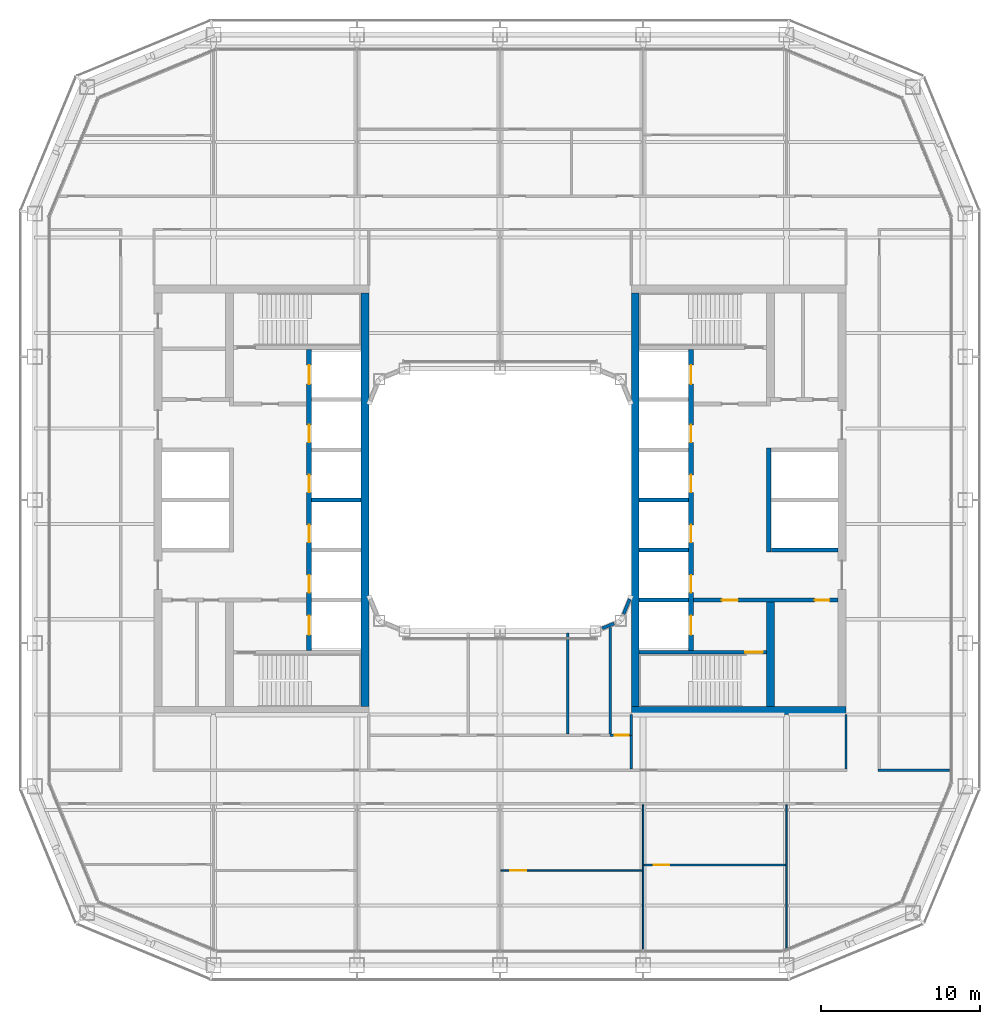
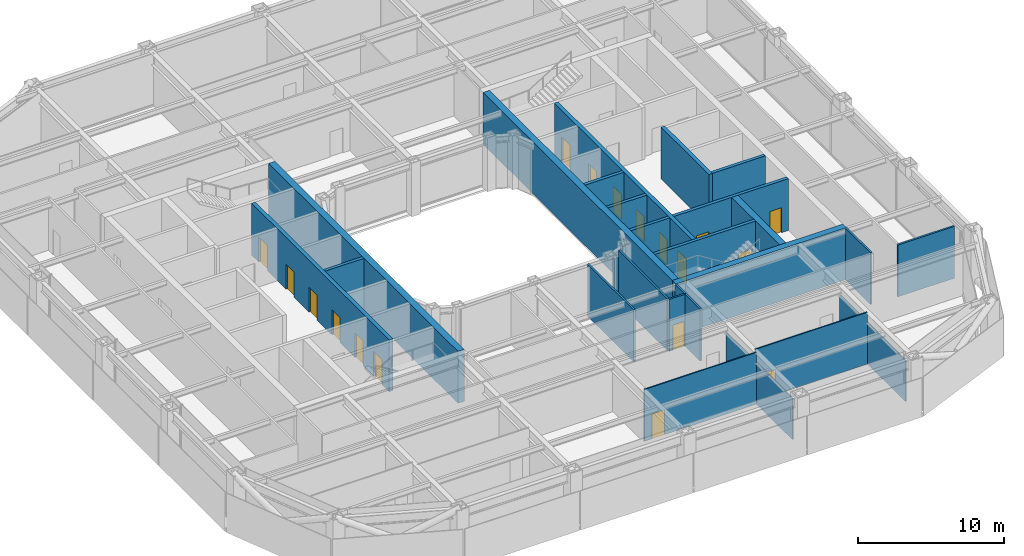
# One storey, part 12 of 21: 27 walls, 18 doors, 18 openings.
"""IFC4 building model written with IfcOpenShell, lengths in metres."""

import ifcopenshell
import ifcopenshell.guid

model = None  # the IFC model being written
_history = None  # IfcOwnerHistory: only IFC2X3 demands one
_inside = {}  # id of a spatial element -> (the spatial element, [elements in it])
_under = {}  # id of a project, library or spatial element -> (it, [spatial elements below it])
_declared = {}  # id of a project -> (the project, [libraries it declares])
_typed = {}  # id of a type object -> (the type object, [elements of that type])
_made_of = {}  # id of a material, layer set ... -> (it, [elements and type objects made of it])


def new_model(schema):
    """Start an empty IFC model of exactly this schema.

    Asked for "IFC4X3", IfcOpenShell would pick the latest addendum, in which some entities
    have other attributes; the version numbers below select the first issue.
    IFC2X3 requires an IfcOwnerHistory on every rooted entity: one is made here for all.
    """
    global model, _history
    if schema == "IFC4X3":
        model = ifcopenshell.file(schema_version=(4, 3, 0, 0))
    else:
        model = ifcopenshell.file(schema=schema)
    _inside.clear()
    _under.clear()
    _declared.clear()
    _typed.clear()
    _made_of.clear()
    _history = None
    if model.schema == "IFC2X3":
        org = make("IfcOrganization", Name="unknown")
        user = make(
            "IfcPersonAndOrganization",
            ThePerson=make("IfcPerson", FamilyName="unknown"),
            TheOrganization=org,
        )
        app = make(
            "IfcApplication",
            ApplicationDeveloper=org,
            Version="unknown",
            ApplicationFullName="unknown",
            ApplicationIdentifier="unknown",
        )
        _history = make(
            "IfcOwnerHistory",
            OwningUser=user,
            OwningApplication=app,
            ChangeAction="ADDED",
            CreationDate=0,
        )
    return model


def make(cls, **values):
    """One entity of the class cls with the attributes given. An attribute that is None is left unset."""
    return model.create_entity(
        cls, **{name: value for name, value in values.items() if value is not None}
    )


def rooted(cls, **values):
    """An entity with a GlobalId (a new one), such as an element, a storey or a relation."""
    return make(cls, GlobalId=ifcopenshell.guid.new(), OwnerHistory=_history, **values)


def si_unit(unit_type, name, prefix=None):
    """IfcSIUnit, for example si_unit("LENGTHUNIT", "METRE", prefix="MILLI")."""
    return make("IfcSIUnit", UnitType=unit_type, Prefix=prefix, Name=name)


def assignment(units):
    """IfcUnitAssignment: the units of a project."""
    return None if units is None else make("IfcUnitAssignment", Units=units)


def point(xyz):
    """IfcCartesianPoint."""
    return None if xyz is None else make("IfcCartesianPoint", Coordinates=xyz)


def direction(xyz):
    """IfcDirection."""
    return None if xyz is None else make("IfcDirection", DirectionRatios=xyz)


def frame(location, z_axis=None, x_axis=None):
    """IfcAxis2Placement3D, a coordinate frame: its origin and axes. An axis left out is left unset."""
    return make(
        "IfcAxis2Placement3D",
        Location=point(location),
        Axis=direction(z_axis),
        RefDirection=direction(x_axis),
    )


def frame_2d(location, x_axis=None):
    """IfcAxis2Placement2D, a coordinate frame in the plane: its origin and x axis."""
    return make(
        "IfcAxis2Placement2D", Location=point(location), RefDirection=direction(x_axis)
    )


def origin():
    """The frame at (0, 0, 0) with its axes left unset."""
    return frame((0.0, 0.0, 0.0))


def place(relative_to, where):
    """IfcLocalPlacement: puts the frame where relative to a parent placement (None: the world)."""
    return make(
        "IfcLocalPlacement", PlacementRelTo=relative_to, RelativePlacement=where
    )


def context(
    kind, dimensions, precision=None, world=None, true_north=None, identifier=None
):
    """IfcGeometricRepresentationContext, for example the 3D "Model" context."""
    return make(
        "IfcGeometricRepresentationContext",
        ContextIdentifier=identifier,
        ContextType=kind,
        CoordinateSpaceDimension=dimensions,
        Precision=precision,
        WorldCoordinateSystem=world,
        TrueNorth=true_north,
    )


def subcontext(parent, identifier, kind, view, scale=None):
    """IfcGeometricRepresentationSubContext, for example "Body" below "Model"."""
    return make(
        "IfcGeometricRepresentationSubContext",
        ContextIdentifier=identifier,
        ContextType=kind,
        ParentContext=parent,
        TargetScale=scale,
        TargetView=view,
    )


def project(units=None, contexts=None):
    """IfcProject with its units and contexts."""
    return rooted(
        "IfcProject",
        Name="project",
        RepresentationContexts=contexts,
        UnitsInContext=assignment(units),
    )


def spatial(cls, under=None, at=None, **own):
    """A site, building, storey or space (cls), placed at a placement, below another one or the project."""
    s = rooted(cls, ObjectPlacement=at, **own)
    if under is not None:
        _under.setdefault(under.id(), (under, []))[1].append(s)
    return s


def profile(cls, at=None, kind="AREA", **sizes):
    """A parametric profile (cls). Its sizes go by their IFC names, for example OverallWidth=200.0."""
    return make(cls, ProfileType=kind, Position=at, **sizes)


def rectangle(**sizes):
    """IfcRectangleProfileDef."""
    return profile("IfcRectangleProfileDef", **sizes)


def extrude(swept, where, along, depth):
    """IfcExtrudedAreaSolid: the profile swept, set in the frame where, extruded along a direction by depth."""
    return make(
        "IfcExtrudedAreaSolid",
        SweptArea=swept,
        Position=where,
        ExtrudedDirection=direction(along),
        Depth=depth,
    )


def shape(context_of_items, identifier, shape_type, items):
    """IfcShapeRepresentation: the items that make up one representation, for example the "Body"."""
    return make(
        "IfcShapeRepresentation",
        ContextOfItems=context_of_items,
        RepresentationIdentifier=identifier,
        RepresentationType=shape_type,
        Items=items,
    )


def material(Name=None, Category=None):
    """IfcMaterial."""
    return make("IfcMaterial", Name=Name, Category=Category)


def layer(
    of_material, thickness, ventilated=None, Name=None, Category=None, Priority=None
):
    """IfcMaterialLayer: one layer of a wall or slab, of a material (None: an air gap)."""
    return make(
        "IfcMaterialLayer",
        Material=of_material,
        LayerThickness=thickness,
        IsVentilated=ventilated,
        Name=Name,
        Category=Category,
        Priority=Priority,
    )


def layer_set(layers, Name=None):
    """IfcMaterialLayerSet."""
    return make("IfcMaterialLayerSet", MaterialLayers=layers, LayerSetName=Name)


def made_of(thing, what):
    """Note that an element or type object is made of a material, layer set ...; save() writes the relation."""
    if what is not None:
        _made_of.setdefault(what.id(), (what, []))[1].append(thing)
    return thing


def type_object(cls, material=None, **own):
    """A type object (cls), such as IfcWallType, which elements share."""
    return made_of(rooted(cls, **own), material)


def element(
    cls,
    number,
    at=None,
    inside=None,
    cuts=None,
    type_object=None,
    material=None,
    context=None,
    identifier="Body",
    shape_type=None,
    held_by="IfcProductDefinitionShape",
    body=None,
    shapes=None,
    **own,
):
    """One element of the class cls, such as IfcWall. Its Tag is "e" and its number.

    at: its placement. inside: the storey or other place that contains it. cuts: it is an
    opening in that element (IfcRelVoidsElement). A single representation is given by context,
    identifier, shape_type and body (its items); several are given by shapes. held_by: the class
    of the entity that holds the representations. save() writes the other relations.
    """
    e = rooted(cls, Tag="e%d" % number, ObjectPlacement=at, **own)
    if body is not None:
        shapes = [shape(context, identifier, shape_type, body)]
    if shapes is not None:
        e.Representation = make(held_by, Representations=shapes)
    if inside is not None:
        _inside.setdefault(inside.id(), (inside, []))[1].append(e)
    if cuts is not None:
        rooted(
            "IfcRelVoidsElement", RelatingBuildingElement=cuts, RelatedOpeningElement=e
        )
    if type_object is not None:
        _typed.setdefault(type_object.id(), (type_object, []))[1].append(e)
    return made_of(e, material)


def fill(opening, filler):
    """IfcRelFillsElement: the door or window that sits in an opening."""
    return rooted(
        "IfcRelFillsElement",
        RelatingOpeningElement=opening,
        RelatedBuildingElement=filler,
    )


def aggregate(whole, parts):
    """IfcRelAggregates: a whole, such as a stair, and the parts it consists of."""
    return rooted("IfcRelAggregates", RelatingObject=whole, RelatedObjects=parts)


def save(model, path):
    """Write the relations noted so far, then the file.

    IfcRelAggregates (storeys below a building ...), IfcRelContainedInSpatialStructure (elements
    in a storey), IfcRelDefinesByType, IfcRelAssociatesMaterial and IfcRelDeclares: one each for
    every whole, place, type object, material and project.
    """
    for whole, parts in _under.values():
        aggregate(whole, parts)
    for where, things in _inside.values():
        rooted(
            "IfcRelContainedInSpatialStructure",
            RelatedElements=things,
            RelatingStructure=where,
        )
    for kind, things in _typed.values():
        rooted("IfcRelDefinesByType", RelatedObjects=things, RelatingType=kind)
    for what, things in _made_of.values():
        rooted("IfcRelAssociatesMaterial", RelatedObjects=things, RelatingMaterial=what)
    for by, libraries in _declared.values():
        rooted("IfcRelDeclares", RelatingContext=by, RelatedDefinitions=libraries)
    model.write(path)


model = new_model("IFC4")

# Units and contexts
model_context = context("Model", 3, precision=1e-05, world=origin(), true_north=direction((0.0, 1.0)))
body_context = subcontext(model_context, "Body", "Model", "MODEL_VIEW")
ifc_project = project(units=[si_unit("LENGTHUNIT", "METRE"), si_unit("AREAUNIT", "SQUARE_METRE"), si_unit("VOLUMEUNIT", "CUBIC_METRE"), si_unit("PLANEANGLEUNIT", "RADIAN"), si_unit("MASSUNIT", "GRAM", prefix="KILO")], contexts=[model_context])

# Site, building, storey
site_placement = place(None, origin())
site = spatial("IfcSite", under=ifc_project, at=site_placement, CompositionType="ELEMENT")
building_placement = place(site_placement, origin())
building = spatial("IfcBuilding", under=site, at=building_placement, Name="Siwar Civic Tower", CompositionType="ELEMENT")
storey_placement = place(building_placement, frame((0.0, 0.0, 104.699951171875)))
storey = spatial("IfcBuildingStorey", under=building, at=storey_placement, Name="L22", CompositionType="ELEMENT", Elevation=104.699951171875)

# Wall, opening, door
ifc_material_1 = material(Name="Gypsum board on steel studs", Category="steel")
ifc_layer_1 = layer(ifc_material_1, 0.14990234375)
ifc_layer_set_1 = layer_set([ifc_layer_1], Name="Gypsum board on steel studs")
wall_type_1 = type_object("IfcWallType", Name="COMPARTMENT PARTITION 150 EI 60", PredefinedType="PARTITIONING", material=ifc_layer_set_1)
wall_1_placement = place(storey_placement, frame((6.919921875, -14.800048828125, 0.0), z_axis=(0.0, 0.0, 1.0), x_axis=(1.0, 0.0, 0.0)))
wall_1 = element("IfcWall", 1, at=wall_1_placement, inside=storey, type_object=wall_type_1, Name="L22/wall/P10", PredefinedType="PARTITIONING", context=body_context, shape_type="SweptSolid", body=[
    extrude(rectangle(XDim=1.255126953125, YDim=0.14990234375, at=frame_2d((0.62744140625, 0.0))), origin(), (0.0, 0.0, 1.0), 4.35009765625),
])
opening_1_placement = place(wall_1_placement, frame((0.280029296875, 0.0, 0.0)))
opening_1 = element("IfcOpeningElement", 2, at=opening_1_placement, cuts=wall_1, Name="Opening D4", PredefinedType="OPENING", context=body_context, shape_type="SweptSolid", body=[
    extrude(rectangle(XDim=0.89990234375, YDim=2.10009765625, at=frame_2d((0.449951171875, 1.050048828125))), frame((0.0, 0.0849609375, 0.0), z_axis=(0.0, -1.0, 0.0), x_axis=(1.0, 0.0, 0.0)), (0.0, 0.0, 1.0), 0.169921875),
])
ifc_material_2 = material(Name="Timber, painted", Category="wood")
door_type_1 = type_object("IfcDoorType", Name="DOOR 900 X 2100 FD60", OperationType="SINGLE_SWING_LEFT", PredefinedType="DOOR", material=ifc_material_2)
door_1_placement = place(opening_1_placement, origin())
door_1 = element("IfcDoor", 3, at=door_1_placement, inside=storey, type_object=door_type_1, Name="L22-D28", OperationType="SINGLE_SWING_RIGHT", OverallHeight=2.10009765625, OverallWidth=0.89990234375, PredefinedType="DOOR", context=body_context, shape_type="SweptSolid", body=[
    extrude(rectangle(XDim=0.89990234375, YDim=2.10009765625, at=frame_2d((0.449951171875, 1.050048828125))), frame((0.0, 0.02490234375, 0.0), z_axis=(0.0, -1.0, 0.0), x_axis=(1.0, 0.0, 0.0)), (0.0, 0.0, 1.0), 0.050048828125),
])
fill(opening_1, door_1)

# Walls
wall_2_placement = place(storey_placement, frame((6.919921875, -14.72509765625, 0.0), z_axis=(0.0, 0.0, 1.0), x_axis=(0.0, 1.0, 0.0)))
element("IfcWall", 4, at=wall_2_placement, inside=storey, type_object=wall_type_1, Name="L22/wall/P34", PredefinedType="PARTITIONING", context=body_context, shape_type="SweptSolid", body=[
    extrude(rectangle(XDim=6.7001953125, YDim=0.14990234375, at=frame_2d((3.35009765625, 0.0))), origin(), (0.0, 0.0, 1.0), 4.35009765625),
])
wall_3_placement = place(storey_placement, frame((8.25, -14.800048828125, 0.0), z_axis=(0.0, 0.0, 1.0), x_axis=(0.0, 1.0, 0.0)))
element("IfcWall", 5, at=wall_3_placement, inside=storey, type_object=wall_type_1, Name="L22/wall/P37", PredefinedType="PARTITIONING", context=body_context, shape_type="SweptSolid", body=[
    extrude(rectangle(XDim=1.300048828125, YDim=0.14990234375, at=frame_2d((0.64990234375, 0.0))), origin(), (0.0, 0.0, 1.0), 4.35009765625),
])
ifc_material_3 = material(Name="Concrete C60/75", Category="concrete")
ifc_layer_2 = layer(ifc_material_3, 0.25)
ifc_layer_set_2 = layer_set([ifc_layer_2], Name="Concrete C60/75")
wall_type_2 = type_object("IfcWallType", Name="CORE-WALL-RC250", PredefinedType="SHEAR", material=ifc_layer_set_2)
wall_4_placement = place(storey_placement, frame((-8.75, 0.0, 0.0), z_axis=(0.0, 0.0, 1.0), x_axis=(-1.0, 0.0, 0.0)))
element("IfcWall", 6, at=wall_4_placement, inside=storey, type_object=wall_type_2, Name="Core wall W", PredefinedType="SHEAR", context=body_context, shape_type="SweptSolid", body=[
    extrude(rectangle(XDim=3.10009765625, YDim=0.25, at=frame_2d((1.550048828125, 0.0))), origin(), (0.0, 0.0, 1.0), 4.35009765625),
])

# Wall, openings, doors
wall_5_placement = place(storey_placement, frame((12.14990234375, -6.300048828125, 0.0), z_axis=(0.0, 0.0, 1.0), x_axis=(1.0, 0.0, 0.0)))
wall_5 = element("IfcWall", 7, at=wall_5_placement, inside=storey, type_object=wall_type_2, Name="Core wall E", PredefinedType="SHEAR", context=body_context, shape_type="SweptSolid", body=[
    extrude(rectangle(XDim=9.10009765625, YDim=0.25, at=frame_2d((4.550048828125, 0.0))), origin(), (0.0, 0.0, 1.0), 4.35009765625),
])
opening_2_placement = place(wall_5_placement, frame((1.800048828125, 0.0, 0.0)))
opening_2 = element("IfcOpeningElement", 8, at=opening_2_placement, cuts=wall_5, Name="Opening L22-CE02", PredefinedType="OPENING", context=body_context, shape_type="SweptSolid", body=[
    extrude(rectangle(XDim=1.0, YDim=2.10009765625, at=frame_2d((0.5, 1.050048828125))), frame((0.0, 0.135009765625, 0.0), z_axis=(0.0, -1.0, 0.0), x_axis=(1.0, 0.0, 0.0)), (0.0, 0.0, 1.0), 0.27001953125),
])
opening_3_placement = place(wall_5_placement, frame((7.64990234375, 0.0, 0.0)))
opening_3 = element("IfcOpeningElement", 9, at=opening_3_placement, cuts=wall_5, Name="Opening L22-CE15", PredefinedType="OPENING", context=body_context, shape_type="SweptSolid", body=[
    extrude(rectangle(XDim=0.89990234375, YDim=2.10009765625, at=frame_2d((0.449951171875, 1.050048828125))), frame((0.0, 0.135009765625, 0.0), z_axis=(0.0, -1.0, 0.0), x_axis=(1.0, 0.0, 0.0)), (0.0, 0.0, 1.0), 0.27001953125),
])
ifc_material_4 = material(Name="Steel door leaf", Category="steel")
door_type_2 = type_object("IfcDoorType", Name="CORE-DOOR-FD30S", OperationType="SINGLE_SWING_LEFT", PredefinedType="DOOR", material=ifc_material_4)
door_2_placement = place(opening_2_placement, origin())
door_2 = element("IfcDoor", 10, at=door_2_placement, inside=storey, type_object=door_type_2, Name="Service lobby door L22-CE02", OperationType="SINGLE_SWING_LEFT", OverallHeight=2.10009765625, OverallWidth=1.0, PredefinedType="DOOR", context=body_context, shape_type="SweptSolid", body=[
    extrude(rectangle(XDim=1.0, YDim=2.10009765625, at=frame_2d((0.5, 1.050048828125))), frame((0.0, 0.02490234375, 0.0), z_axis=(0.0, -1.0, 0.0), x_axis=(1.0, 0.0, 0.0)), (0.0, 0.0, 1.0), 0.050048828125),
])
fill(opening_2, door_2)
ifc_material_5 = material(Name="Steel door leaf", Category="steel")
door_type_3 = type_object("IfcDoorType", Name="CORE-DOOR-ROOM", OperationType="SINGLE_SWING_LEFT", PredefinedType="DOOR", material=ifc_material_5)
door_3_placement = place(opening_3_placement, origin())
door_3 = element("IfcDoor", 11, at=door_3_placement, inside=storey, type_object=door_type_3, Name="Core room door L22-CE15", OperationType="SINGLE_SWING_RIGHT", OverallHeight=2.10009765625, OverallWidth=0.89990234375, PredefinedType="DOOR", context=body_context, shape_type="SweptSolid", body=[
    extrude(rectangle(XDim=0.89990234375, YDim=2.10009765625, at=frame_2d((0.449951171875, 1.050048828125))), frame((0.0, 0.02490234375, 0.0), z_axis=(0.0, -1.0, 0.0), x_axis=(1.0, 0.0, 0.0)), (0.0, 0.0, 1.0), 0.050048828125),
])
fill(opening_3, door_3)

# Walls
wall_6_placement = place(storey_placement, frame((17.050048828125, -3.14990234375, 0.0), z_axis=(0.0, 0.0, 1.0), x_axis=(1.0, 0.0, 0.0)))
element("IfcWall", 12, at=wall_6_placement, inside=storey, type_object=wall_type_2, Name="Core wall E", PredefinedType="SHEAR", context=body_context, shape_type="SweptSolid", body=[
    extrude(rectangle(XDim=4.199951171875, YDim=0.25, at=frame_2d((2.10009765625, 0.0))), origin(), (0.0, 0.0, 1.0), 4.35009765625),
])
for number, where, z_axis, x_axis, name in (
    (13, (8.75, 0.0, 0.0), (0.0, 0.0, 1.0), (1.0, 0.0, 0.0), "Core wall E"),
    (14, (8.75, -3.14990234375, 0.0), (0.0, 0.0, 1.0), (1.0, 0.0, 0.0), "Core wall E"),
    (15, (8.75, -6.300048828125, 0.0), (0.0, 0.0, 1.0), (1.0, 0.0, 0.0), "Core wall E"),
):
    element("IfcWall", number, at=place(storey_placement, frame(where, z_axis=z_axis, x_axis=x_axis)), inside=storey, type_object=wall_type_2, Name=name, PredefinedType="SHEAR", context=body_context, shape_type="SweptSolid", body=[
        extrude(rectangle(XDim=3.10009765625, YDim=0.25, at=frame_2d((1.550048828125, 0.0))), origin(), (0.0, 0.0, 1.0), 4.35009765625),
    ])

# Wall, opening, door
wall_7_placement = place(storey_placement, frame((8.75, -9.574951171875, 0.0), z_axis=(0.0, 0.0, 1.0), x_axis=(1.0, 0.0, 0.0)))
wall_7 = element("IfcWall", 16, at=wall_7_placement, inside=storey, type_object=wall_type_2, Name="Core wall E", PredefinedType="SHEAR", context=body_context, shape_type="SweptSolid", body=[
    extrude(rectangle(XDim=8.0, YDim=0.25, at=frame_2d((4.0, 0.0))), origin(), (0.0, 0.0, 1.0), 4.35009765625),
])
opening_4_placement = place(wall_7_placement, frame((6.64990234375, 0.0, 0.0)))
opening_4 = element("IfcOpeningElement", 17, at=opening_4_placement, cuts=wall_7, Name="Opening L22-CE04", PredefinedType="OPENING", context=body_context, shape_type="SweptSolid", body=[
    extrude(rectangle(XDim=1.10009765625, YDim=2.10009765625, at=frame_2d((0.550048828125, 1.050048828125))), frame((0.0, 0.135009765625, 0.0), z_axis=(0.0, -1.0, 0.0), x_axis=(1.0, 0.0, 0.0)), (0.0, 0.0, 1.0), 0.27001953125),
])
ifc_material_6 = material(Name="Steel door leaf", Category="steel")
door_type_4 = type_object("IfcDoorType", Name="CORE-DOOR-FD60S", OperationType="SINGLE_SWING_LEFT", PredefinedType="DOOR", material=ifc_material_6)
door_4_placement = place(opening_4_placement, origin())
door_4 = element("IfcDoor", 18, at=door_4_placement, inside=storey, type_object=door_type_4, Name="Stair door L22-CE04", OperationType="SINGLE_SWING_RIGHT", OverallHeight=2.10009765625, OverallWidth=1.10009765625, PredefinedType="DOOR", context=body_context, shape_type="SweptSolid", body=[
    extrude(rectangle(XDim=1.10009765625, YDim=2.10009765625, at=frame_2d((0.550048828125, 1.050048828125))), frame((0.0, 0.02490234375, 0.0), z_axis=(0.0, -1.0, 0.0), x_axis=(1.0, 0.0, 0.0)), (0.0, 0.0, 1.0), 0.050048828125),
])
fill(opening_4, door_4)

# Wall, openings, doors
ifc_material_7 = material(Name="Concrete C60/75", Category="concrete")
ifc_layer_3 = layer(ifc_material_7, 0.300048828125)
ifc_layer_set_3 = layer_set([ifc_layer_3], Name="Concrete C60/75")
wall_type_3 = type_object("IfcWallType", Name="CORE-WALL-RC300", PredefinedType="SHEAR", material=ifc_layer_set_3)
wall_8_placement = place(storey_placement, frame((-12.0, -9.449951171875, 0.0), z_axis=(0.0, 0.0, 1.0), x_axis=(0.0, 1.0, 0.0)))
wall_8 = element("IfcWall", 19, at=wall_8_placement, inside=storey, type_object=wall_type_3, Name="Core wall W", PredefinedType="SHEAR", context=body_context, shape_type="SweptSolid", body=[
    extrude(rectangle(XDim=18.89990234375, YDim=0.300048828125, at=frame_2d((9.449951171875, 0.0))), origin(), (0.0, 0.0, 1.0), 4.35009765625),
])
opening_5_placement = place(wall_8_placement, frame((3.625, 0.0, 0.0)))
opening_5 = element("IfcOpeningElement", 20, at=opening_5_placement, cuts=wall_8, Name="Opening L22-CW07", PredefinedType="OPENING", context=body_context, shape_type="SweptSolid", body=[
    extrude(rectangle(XDim=1.10009765625, YDim=2.10009765625, at=frame_2d((0.550048828125, 1.050048828125))), frame((0.0, 0.16015625, 0.0), z_axis=(0.0, -1.0, 0.0), x_axis=(1.0, 0.0, 0.0)), (0.0, 0.0, 1.0), 0.320068359375),
])
opening_6_placement = place(wall_8_placement, frame((6.77490234375, 0.0, 0.0)))
opening_6 = element("IfcOpeningElement", 21, at=opening_6_placement, cuts=wall_8, Name="Opening L22-CW08", PredefinedType="OPENING", context=body_context, shape_type="SweptSolid", body=[
    extrude(rectangle(XDim=1.10009765625, YDim=2.10009765625, at=frame_2d((0.550048828125, 1.050048828125))), frame((0.0, 0.16015625, 0.0), z_axis=(0.0, -1.0, 0.0), x_axis=(1.0, 0.0, 0.0)), (0.0, 0.0, 1.0), 0.320068359375),
])
opening_7_placement = place(wall_8_placement, frame((9.925048828125, 0.0, 0.0)))
opening_7 = element("IfcOpeningElement", 22, at=opening_7_placement, cuts=wall_8, Name="Opening L22-CW09", PredefinedType="OPENING", context=body_context, shape_type="SweptSolid", body=[
    extrude(rectangle(XDim=1.10009765625, YDim=2.10009765625, at=frame_2d((0.550048828125, 1.050048828125))), frame((0.0, 0.16015625, 0.0), z_axis=(0.0, -1.0, 0.0), x_axis=(1.0, 0.0, 0.0)), (0.0, 0.0, 1.0), 0.320068359375),
])
opening_8_placement = place(wall_8_placement, frame((13.074951171875, 0.0, 0.0)))
opening_8 = element("IfcOpeningElement", 23, at=opening_8_placement, cuts=wall_8, Name="Opening L22-CW10", PredefinedType="OPENING", context=body_context, shape_type="SweptSolid", body=[
    extrude(rectangle(XDim=1.10009765625, YDim=2.10009765625, at=frame_2d((0.550048828125, 1.050048828125))), frame((0.0, 0.16015625, 0.0), z_axis=(0.0, -1.0, 0.0), x_axis=(1.0, 0.0, 0.0)), (0.0, 0.0, 1.0), 0.320068359375),
])
opening_9_placement = place(wall_8_placement, frame((16.72509765625, 0.0, 0.0)))
opening_9 = element("IfcOpeningElement", 24, at=opening_9_placement, cuts=wall_8, Name="Opening L22-CW11", PredefinedType="OPENING", context=body_context, shape_type="SweptSolid", body=[
    extrude(rectangle(XDim=1.199951171875, YDim=2.10009765625, at=frame_2d((0.60009765625, 1.050048828125))), frame((0.0, 0.16015625, 0.0), z_axis=(0.0, -1.0, 0.0), x_axis=(1.0, 0.0, 0.0)), (0.0, 0.0, 1.0), 0.320068359375),
])
opening_10_placement = place(wall_8_placement, frame((0.97509765625, 0.0, 0.0)))
opening_10 = element("IfcOpeningElement", 25, at=opening_10_placement, cuts=wall_8, Name="Opening L22-CW12", PredefinedType="OPENING", context=body_context, shape_type="SweptSolid", body=[
    extrude(rectangle(XDim=1.199951171875, YDim=2.10009765625, at=frame_2d((0.60009765625, 1.050048828125))), frame((0.0, 0.16015625, 0.0), z_axis=(0.0, -1.0, 0.0), x_axis=(1.0, 0.0, 0.0)), (0.0, 0.0, 1.0), 0.320068359375),
])
ifc_material_8 = material(Name="Steel door leaf", Category="steel")
door_type_5 = type_object("IfcDoorType", Name="CORE-DOOR-LD", OperationType="DOUBLE_DOOR_SLIDING", PredefinedType="DOOR", material=ifc_material_8)
door_5_placement = place(opening_5_placement, origin())
door_5 = element("IfcDoor", 26, at=door_5_placement, inside=storey, type_object=door_type_5, Name="Landing door LR1 L22-CW07", OperationType="DOUBLE_DOOR_SLIDING", OverallHeight=2.10009765625, OverallWidth=1.10009765625, PredefinedType="DOOR", context=body_context, shape_type="SweptSolid", body=[
    extrude(rectangle(XDim=1.10009765625, YDim=2.10009765625, at=frame_2d((0.550048828125, 1.050048828125))), frame((0.0, 0.02490234375, 0.0), z_axis=(0.0, -1.0, 0.0), x_axis=(1.0, 0.0, 0.0)), (0.0, 0.0, 1.0), 0.050048828125),
])
fill(opening_5, door_5)
door_6_placement = place(opening_6_placement, origin())
door_6 = element("IfcDoor", 27, at=door_6_placement, inside=storey, type_object=door_type_5, Name="Landing door LR2 L22-CW08", OperationType="DOUBLE_DOOR_SLIDING", OverallHeight=2.10009765625, OverallWidth=1.10009765625, PredefinedType="DOOR", context=body_context, shape_type="SweptSolid", body=[
    extrude(rectangle(XDim=1.10009765625, YDim=2.10009765625, at=frame_2d((0.550048828125, 1.050048828125))), frame((0.0, 0.02490234375, 0.0), z_axis=(0.0, -1.0, 0.0), x_axis=(1.0, 0.0, 0.0)), (0.0, 0.0, 1.0), 0.050048828125),
])
fill(opening_6, door_6)
door_7_placement = place(opening_7_placement, origin())
door_7 = element("IfcDoor", 28, at=door_7_placement, inside=storey, type_object=door_type_5, Name="Landing door LR3 L22-CW09", OperationType="DOUBLE_DOOR_SLIDING", OverallHeight=2.10009765625, OverallWidth=1.10009765625, PredefinedType="DOOR", context=body_context, shape_type="SweptSolid", body=[
    extrude(rectangle(XDim=1.10009765625, YDim=2.10009765625, at=frame_2d((0.550048828125, 1.050048828125))), frame((0.0, 0.02490234375, 0.0), z_axis=(0.0, -1.0, 0.0), x_axis=(1.0, 0.0, 0.0)), (0.0, 0.0, 1.0), 0.050048828125),
])
fill(opening_7, door_7)
door_8_placement = place(opening_8_placement, origin())
door_8 = element("IfcDoor", 29, at=door_8_placement, inside=storey, type_object=door_type_5, Name="Landing door LR4 L22-CW10", OperationType="DOUBLE_DOOR_SLIDING", OverallHeight=2.10009765625, OverallWidth=1.10009765625, PredefinedType="DOOR", context=body_context, shape_type="SweptSolid", body=[
    extrude(rectangle(XDim=1.10009765625, YDim=2.10009765625, at=frame_2d((0.550048828125, 1.050048828125))), frame((0.0, 0.02490234375, 0.0), z_axis=(0.0, -1.0, 0.0), x_axis=(1.0, 0.0, 0.0)), (0.0, 0.0, 1.0), 0.050048828125),
])
fill(opening_8, door_8)
ifc_material_9 = material(Name="Steel door leaf", Category="steel")
door_type_6 = type_object("IfcDoorType", Name="CORE-DOOR-LDW", OperationType="DOUBLE_DOOR_SLIDING", PredefinedType="DOOR", material=ifc_material_9)
door_9_placement = place(opening_9_placement, origin())
door_9 = element("IfcDoor", 30, at=door_9_placement, inside=storey, type_object=door_type_6, Name="Landing door FF1 L22-CW11", OperationType="DOUBLE_DOOR_SLIDING", OverallHeight=2.10009765625, OverallWidth=1.199951171875, PredefinedType="DOOR", context=body_context, shape_type="SweptSolid", body=[
    extrude(rectangle(XDim=1.199951171875, YDim=2.10009765625, at=frame_2d((0.60009765625, 1.050048828125))), frame((0.0, 0.02490234375, 0.0), z_axis=(0.0, -1.0, 0.0), x_axis=(1.0, 0.0, 0.0)), (0.0, 0.0, 1.0), 0.050048828125),
])
fill(opening_9, door_9)
door_10_placement = place(opening_10_placement, origin())
door_10 = element("IfcDoor", 31, at=door_10_placement, inside=storey, type_object=door_type_6, Name="Landing door SV1 L22-CW12", OperationType="DOUBLE_DOOR_SLIDING", OverallHeight=2.10009765625, OverallWidth=1.199951171875, PredefinedType="DOOR", context=body_context, shape_type="SweptSolid", body=[
    extrude(rectangle(XDim=1.199951171875, YDim=2.10009765625, at=frame_2d((0.60009765625, 1.050048828125))), frame((0.0, 0.02490234375, 0.0), z_axis=(0.0, -1.0, 0.0), x_axis=(1.0, 0.0, 0.0)), (0.0, 0.0, 1.0), 0.050048828125),
])
fill(opening_10, door_10)

wall_9_placement = place(storey_placement, frame((12.0, -9.449951171875, 0.0), z_axis=(0.0, 0.0, 1.0), x_axis=(0.0, 1.0, 0.0)))
wall_9 = element("IfcWall", 32, at=wall_9_placement, inside=storey, type_object=wall_type_3, Name="Core wall E", PredefinedType="SHEAR", context=body_context, shape_type="SweptSolid", body=[
    extrude(rectangle(XDim=18.89990234375, YDim=0.300048828125, at=frame_2d((9.449951171875, 0.0))), origin(), (0.0, 0.0, 1.0), 4.35009765625),
])
opening_11_placement = place(wall_9_placement, frame((3.625, 0.0, 0.0)))
opening_11 = element("IfcOpeningElement", 33, at=opening_11_placement, cuts=wall_9, Name="Opening L22-CE07", PredefinedType="OPENING", context=body_context, shape_type="SweptSolid", body=[
    extrude(rectangle(XDim=1.10009765625, YDim=2.10009765625, at=frame_2d((0.550048828125, 1.050048828125))), frame((0.0, 0.16015625, 0.0), z_axis=(0.0, -1.0, 0.0), x_axis=(1.0, 0.0, 0.0)), (0.0, 0.0, 1.0), 0.320068359375),
])
opening_12_placement = place(wall_9_placement, frame((6.77490234375, 0.0, 0.0)))
opening_12 = element("IfcOpeningElement", 34, at=opening_12_placement, cuts=wall_9, Name="Opening L22-CE08", PredefinedType="OPENING", context=body_context, shape_type="SweptSolid", body=[
    extrude(rectangle(XDim=1.10009765625, YDim=2.10009765625, at=frame_2d((0.550048828125, 1.050048828125))), frame((0.0, 0.16015625, 0.0), z_axis=(0.0, -1.0, 0.0), x_axis=(1.0, 0.0, 0.0)), (0.0, 0.0, 1.0), 0.320068359375),
])
opening_13_placement = place(wall_9_placement, frame((9.925048828125, 0.0, 0.0)))
opening_13 = element("IfcOpeningElement", 35, at=opening_13_placement, cuts=wall_9, Name="Opening L22-CE09", PredefinedType="OPENING", context=body_context, shape_type="SweptSolid", body=[
    extrude(rectangle(XDim=1.10009765625, YDim=2.10009765625, at=frame_2d((0.550048828125, 1.050048828125))), frame((0.0, 0.16015625, 0.0), z_axis=(0.0, -1.0, 0.0), x_axis=(1.0, 0.0, 0.0)), (0.0, 0.0, 1.0), 0.320068359375),
])
opening_14_placement = place(wall_9_placement, frame((13.074951171875, 0.0, 0.0)))
opening_14 = element("IfcOpeningElement", 36, at=opening_14_placement, cuts=wall_9, Name="Opening L22-CE10", PredefinedType="OPENING", context=body_context, shape_type="SweptSolid", body=[
    extrude(rectangle(XDim=1.10009765625, YDim=2.10009765625, at=frame_2d((0.550048828125, 1.050048828125))), frame((0.0, 0.16015625, 0.0), z_axis=(0.0, -1.0, 0.0), x_axis=(1.0, 0.0, 0.0)), (0.0, 0.0, 1.0), 0.320068359375),
])
opening_15_placement = place(wall_9_placement, frame((16.72509765625, 0.0, 0.0)))
opening_15 = element("IfcOpeningElement", 37, at=opening_15_placement, cuts=wall_9, Name="Opening L22-CE11", PredefinedType="OPENING", context=body_context, shape_type="SweptSolid", body=[
    extrude(rectangle(XDim=1.199951171875, YDim=2.10009765625, at=frame_2d((0.60009765625, 1.050048828125))), frame((0.0, 0.16015625, 0.0), z_axis=(0.0, -1.0, 0.0), x_axis=(1.0, 0.0, 0.0)), (0.0, 0.0, 1.0), 0.320068359375),
])
opening_16_placement = place(wall_9_placement, frame((0.97509765625, 0.0, 0.0)))
opening_16 = element("IfcOpeningElement", 38, at=opening_16_placement, cuts=wall_9, Name="Opening L22-CE12", PredefinedType="OPENING", context=body_context, shape_type="SweptSolid", body=[
    extrude(rectangle(XDim=1.199951171875, YDim=2.10009765625, at=frame_2d((0.60009765625, 1.050048828125))), frame((0.0, 0.16015625, 0.0), z_axis=(0.0, -1.0, 0.0), x_axis=(1.0, 0.0, 0.0)), (0.0, 0.0, 1.0), 0.320068359375),
])
door_11_placement = place(opening_11_placement, origin())
door_11 = element("IfcDoor", 39, at=door_11_placement, inside=storey, type_object=door_type_5, Name="Landing door LR5 L22-CE07", OperationType="DOUBLE_DOOR_SLIDING", OverallHeight=2.10009765625, OverallWidth=1.10009765625, PredefinedType="DOOR", context=body_context, shape_type="SweptSolid", body=[
    extrude(rectangle(XDim=1.10009765625, YDim=2.10009765625, at=frame_2d((0.550048828125, 1.050048828125))), frame((0.0, 0.02490234375, 0.0), z_axis=(0.0, -1.0, 0.0), x_axis=(1.0, 0.0, 0.0)), (0.0, 0.0, 1.0), 0.050048828125),
])
fill(opening_11, door_11)
door_12_placement = place(opening_12_placement, origin())
door_12 = element("IfcDoor", 40, at=door_12_placement, inside=storey, type_object=door_type_5, Name="Landing door LR6 L22-CE08", OperationType="DOUBLE_DOOR_SLIDING", OverallHeight=2.10009765625, OverallWidth=1.10009765625, PredefinedType="DOOR", context=body_context, shape_type="SweptSolid", body=[
    extrude(rectangle(XDim=1.10009765625, YDim=2.10009765625, at=frame_2d((0.550048828125, 1.050048828125))), frame((0.0, 0.02490234375, 0.0), z_axis=(0.0, -1.0, 0.0), x_axis=(1.0, 0.0, 0.0)), (0.0, 0.0, 1.0), 0.050048828125),
])
fill(opening_12, door_12)
door_13_placement = place(opening_13_placement, origin())
door_13 = element("IfcDoor", 41, at=door_13_placement, inside=storey, type_object=door_type_5, Name="Landing door LR7 L22-CE09", OperationType="DOUBLE_DOOR_SLIDING", OverallHeight=2.10009765625, OverallWidth=1.10009765625, PredefinedType="DOOR", context=body_context, shape_type="SweptSolid", body=[
    extrude(rectangle(XDim=1.10009765625, YDim=2.10009765625, at=frame_2d((0.550048828125, 1.050048828125))), frame((0.0, 0.02490234375, 0.0), z_axis=(0.0, -1.0, 0.0), x_axis=(1.0, 0.0, 0.0)), (0.0, 0.0, 1.0), 0.050048828125),
])
fill(opening_13, door_13)
door_14_placement = place(opening_14_placement, origin())
door_14 = element("IfcDoor", 42, at=door_14_placement, inside=storey, type_object=door_type_5, Name="Landing door LR8 L22-CE10", OperationType="DOUBLE_DOOR_SLIDING", OverallHeight=2.10009765625, OverallWidth=1.10009765625, PredefinedType="DOOR", context=body_context, shape_type="SweptSolid", body=[
    extrude(rectangle(XDim=1.10009765625, YDim=2.10009765625, at=frame_2d((0.550048828125, 1.050048828125))), frame((0.0, 0.02490234375, 0.0), z_axis=(0.0, -1.0, 0.0), x_axis=(1.0, 0.0, 0.0)), (0.0, 0.0, 1.0), 0.050048828125),
])
fill(opening_14, door_14)
door_15_placement = place(opening_15_placement, origin())
door_15 = element("IfcDoor", 43, at=door_15_placement, inside=storey, type_object=door_type_6, Name="Landing door FF2 L22-CE11", OperationType="DOUBLE_DOOR_SLIDING", OverallHeight=2.10009765625, OverallWidth=1.199951171875, PredefinedType="DOOR", context=body_context, shape_type="SweptSolid", body=[
    extrude(rectangle(XDim=1.199951171875, YDim=2.10009765625, at=frame_2d((0.60009765625, 1.050048828125))), frame((0.0, 0.02490234375, 0.0), z_axis=(0.0, -1.0, 0.0), x_axis=(1.0, 0.0, 0.0)), (0.0, 0.0, 1.0), 0.050048828125),
])
fill(opening_15, door_15)
door_16_placement = place(opening_16_placement, origin())
door_16 = element("IfcDoor", 44, at=door_16_placement, inside=storey, type_object=door_type_6, Name="Landing door SV2 L22-CE12", OperationType="DOUBLE_DOOR_SLIDING", OverallHeight=2.10009765625, OverallWidth=1.199951171875, PredefinedType="DOOR", context=body_context, shape_type="SweptSolid", body=[
    extrude(rectangle(XDim=1.199951171875, YDim=2.10009765625, at=frame_2d((0.60009765625, 1.050048828125))), frame((0.0, 0.02490234375, 0.0), z_axis=(0.0, -1.0, 0.0), x_axis=(1.0, 0.0, 0.0)), (0.0, 0.0, 1.0), 0.050048828125),
])
fill(opening_16, door_16)

# Walls
wall_10_placement = place(storey_placement, frame((16.89990234375, -3.27490234375, 0.0), z_axis=(0.0, 0.0, 1.0), x_axis=(0.0, 1.0, 0.0)))
element("IfcWall", 45, at=wall_10_placement, inside=storey, type_object=wall_type_3, Name="Core wall E", PredefinedType="SHEAR", context=body_context, shape_type="SweptSolid", body=[
    extrude(rectangle(XDim=6.5498046875, YDim=0.300048828125, at=frame_2d((3.27490234375, 0.0))), origin(), (0.0, 0.0, 1.0), 4.35009765625),
])
ifc_material_10 = material(Name="Concrete C60/75", Category="concrete")
ifc_layer_4 = layer(ifc_material_10, 0.5)
ifc_layer_set_4 = layer_set([ifc_layer_4], Name="Concrete C60/75")
wall_type_4 = type_object("IfcWallType", Name="CORE-WALL-RC500", PredefinedType="SHEAR", material=ifc_layer_set_4)
wall_11_placement = place(storey_placement, frame((17.0, -13.0, 0.0), z_axis=(0.0, 0.0, 1.0), x_axis=(0.0, 1.0, 0.0)))
element("IfcWall", 46, at=wall_11_placement, inside=storey, type_object=wall_type_4, Name="Core wall E", PredefinedType="SHEAR", context=body_context, shape_type="SweptSolid", body=[
    extrude(rectangle(XDim=6.574951171875, YDim=0.5, at=frame_2d((3.28759765625, 0.0))), origin(), (0.0, 0.0, 1.0), 4.35009765625),
])
wall_12_placement = place(storey_placement, frame((8.25, -13.25, 0.0), z_axis=(0.0, 0.0, 1.0), x_axis=(1.0, 0.0, 0.0)))
element("IfcWall", 47, at=wall_12_placement, inside=storey, type_object=wall_type_4, Name="Core wall E", PredefinedType="SHEAR", context=body_context, shape_type="SweptSolid", body=[
    extrude(rectangle(XDim=13.5, YDim=0.5, at=frame_2d((6.75, 0.0))), origin(), (0.0, 0.0, 1.0), 4.35009765625),
])
ifc_material_11 = material(Name="Concrete C60/75", Category="concrete")
ifc_layer_5 = layer(ifc_material_11, 0.5)
ifc_layer_set_5 = layer_set([ifc_layer_5], Name="Concrete C60/75")
wall_type_5 = type_object("IfcWallType", Name="CORE-WALL-RC500-EXT", PredefinedType="SHEAR", material=ifc_layer_set_5)
for number, where, z_axis, x_axis, name in (
    (48, (-8.5, -13.0, 0.0), (0.0, 0.0, 1.0), (0.0, 1.0, 0.0), "Core wall W"),
    (49, (8.5, -13.0, 0.0), (0.0, 0.0, 1.0), (0.0, 1.0, 0.0), "Core wall E"),
):
    element("IfcWall", number, at=place(storey_placement, frame(where, z_axis=z_axis, x_axis=x_axis)), inside=storey, type_object=wall_type_5, Name=name, PredefinedType="SHEAR", context=body_context, shape_type="SweptSolid", body=[
        extrude(rectangle(XDim=26.0, YDim=0.5, at=frame_2d((13.0, 0.0))), origin(), (0.0, 0.0, 1.0), 4.35009765625),
    ])
ifc_material_12 = material(Name="Gypsum board on steel studs", Category="steel")
ifc_layer_6 = layer(ifc_material_12, 0.14990234375)
ifc_layer_set_6 = layer_set([ifc_layer_6], Name="Gypsum board on steel studs")
wall_type_6 = type_object("IfcWallType", Name="CORRIDOR PARTITION 150 EI 30", PredefinedType="PARTITIONING", material=ifc_layer_set_6)
wall_13_placement = place(storey_placement, frame((23.77490234375, -17.0, 0.0), z_axis=(0.0, 0.0, 1.0), x_axis=(1.0, 0.0, 0.0)))
element("IfcWall", 50, at=wall_13_placement, inside=storey, type_object=wall_type_6, Name="L22/wall/P08", PredefinedType="PARTITIONING", context=body_context, shape_type="SweptSolid", body=[
    extrude(rectangle(XDim=4.485107421875, YDim=0.14990234375, at=frame_2d((2.24267578125, 0.0))), origin(), (0.0, 0.0, 1.0), 4.35009765625),
])
wall_14_placement = place(storey_placement, frame((4.25, -14.72509765625, 0.0), z_axis=(0.0, 0.0, 1.0), x_axis=(0.0, 1.0, 0.0)))
element("IfcWall", 51, at=wall_14_placement, inside=storey, type_object=wall_type_6, Name="L22/wall/P32", PredefinedType="PARTITIONING", context=body_context, shape_type="SweptSolid", body=[
    extrude(rectangle(XDim=6.35498046875, YDim=0.14990234375, at=frame_2d((3.177490234375, 0.0))), origin(), (0.0, 0.0, 1.0), 4.35009765625),
])
wall_15_placement = place(storey_placement, frame((8.25, -16.925048828125, 0.0), z_axis=(0.0, 0.0, 1.0), x_axis=(0.0, 1.0, 0.0)))
element("IfcWall", 52, at=wall_15_placement, inside=storey, type_object=wall_type_6, Name="L22/wall/P36", PredefinedType="PARTITIONING", context=body_context, shape_type="SweptSolid", body=[
    extrude(rectangle(XDim=2.125, YDim=0.14990234375, at=frame_2d((1.0625, 0.0))), origin(), (0.0, 0.0, 1.0), 4.35009765625),
])
wall_16_placement = place(storey_placement, frame((21.75, -16.925048828125, 0.0), z_axis=(0.0, 0.0, 1.0), x_axis=(0.0, 1.0, 0.0)))
element("IfcWall", 53, at=wall_16_placement, inside=storey, type_object=wall_type_6, Name="L22/wall/P42", PredefinedType="PARTITIONING", context=body_context, shape_type="SweptSolid", body=[
    extrude(rectangle(XDim=3.425048828125, YDim=0.14990234375, at=frame_2d((1.71240234375, 0.0))), origin(), (0.0, 0.0, 1.0), 4.35009765625),
])
ifc_material_13 = material(Name="Aluminium clad insulated panel", Category="aluminium")
ifc_layer_7 = layer(ifc_material_13, 0.199951171875)
ifc_layer_set_7 = layer_set([ifc_layer_7], Name="Aluminium clad insulated panel")
wall_type_7 = type_object("IfcWallType", Name="ENV-WALL-WELL", PredefinedType="STANDARD", material=ifc_layer_set_7)
wall_17_placement = place(storey_placement, frame((6.422607421875, -8.074951171875, 0.0), z_axis=(0.0, 0.0, 1.0), x_axis=(0.923817771127, 0.382832503518, 0.0)))
element("IfcWall", 54, at=wall_17_placement, inside=storey, type_object=wall_type_7, Name="Light well corner wall SE1", PredefinedType="STANDARD", context=body_context, shape_type="SweptSolid", body=[
    extrude(rectangle(XDim=0.807373046875, YDim=0.199951171875, at=frame_2d((0.40380859375, 0.0))), origin(), (0.0, 0.0, 1.0), 3.825927734375),
])
wall_18_placement = place(storey_placement, frame((7.765869140625, -7.16845703125, 0.0), z_axis=(0.0, 0.0, 1.0), x_axis=(0.382769662028, 0.923843810301, 0.0)))
element("IfcWall", 55, at=wall_18_placement, inside=storey, type_object=wall_type_7, Name="Light well corner wall SE2", PredefinedType="STANDARD", context=body_context, shape_type="SweptSolid", body=[
    extrude(rectangle(XDim=1.014892578125, YDim=0.199951171875, at=frame_2d((0.50732421875, 0.0))), origin(), (0.0, 0.0, 1.0), 3.825927734375),
])

# Wall, opening, door
ifc_material_14 = material(Name="Gypsum board on steel studs", Category="steel")
ifc_layer_8 = layer(ifc_material_14, 0.10009765625)
ifc_layer_set_8 = layer_set([ifc_layer_8], Name="Gypsum board on steel studs")
wall_type_8 = type_object("IfcWallType", Name="PARTITION 100 GYPSUM", PredefinedType="PARTITIONING", material=ifc_layer_set_8)
wall_19_placement = place(storey_placement, frame((0.050048828125, -23.300048828125, 0.0), z_axis=(0.0, 0.0, 1.0), x_axis=(1.0, 0.0, 0.0)))
wall_19 = element("IfcWall", 56, at=wall_19_placement, inside=storey, type_object=wall_type_8, Name="L22/wall/P02", PredefinedType="PARTITIONING", context=body_context, shape_type="SweptSolid", body=[
    extrude(rectangle(XDim=8.89990234375, YDim=0.10009765625, at=frame_2d((4.449951171875, 0.0))), origin(), (0.0, 0.0, 1.0), 4.35009765625),
])
opening_17_placement = place(wall_19_placement, frame((0.60009765625, 0.0, 0.0)))
opening_17 = element("IfcOpeningElement", 57, at=opening_17_placement, cuts=wall_19, Name="Opening D2", PredefinedType="OPENING", context=body_context, shape_type="SweptSolid", body=[
    extrude(rectangle(XDim=1.0, YDim=2.10009765625, at=frame_2d((0.5, 1.050048828125))), frame((0.0, 0.06005859375, 0.0), z_axis=(0.0, -1.0, 0.0), x_axis=(1.0, 0.0, 0.0)), (0.0, 0.0, 1.0), 0.1201171875),
])
ifc_material_15 = material(Name="Timber, painted", Category="wood")
door_type_7 = type_object("IfcDoorType", Name="DOOR 1000 X 2100", OperationType="SINGLE_SWING_LEFT", PredefinedType="DOOR", material=ifc_material_15)
door_17_placement = place(opening_17_placement, origin())
door_17 = element("IfcDoor", 58, at=door_17_placement, inside=storey, type_object=door_type_7, Name="L22-D13", OperationType="SINGLE_SWING_LEFT", OverallHeight=2.10009765625, OverallWidth=1.0, PredefinedType="DOOR", context=body_context, shape_type="SweptSolid", body=[
    extrude(rectangle(XDim=1.0, YDim=2.10009765625, at=frame_2d((0.5, 1.050048828125))), frame((0.0, 0.02490234375, 0.0), z_axis=(0.0, -1.0, 0.0), x_axis=(1.0, 0.0, 0.0)), (0.0, 0.0, 1.0), 0.050048828125),
])
fill(opening_17, door_17)

wall_20_placement = place(storey_placement, frame((9.050048828125, -22.947021484375, 0.0), z_axis=(0.0, 0.0, 1.0), x_axis=(1.0, 0.0, 0.0)))
wall_20 = element("IfcWall", 59, at=wall_20_placement, inside=storey, type_object=wall_type_8, Name="L22/wall/P03", PredefinedType="PARTITIONING", context=body_context, shape_type="SweptSolid", body=[
    extrude(rectangle(XDim=8.89990234375, YDim=0.10009765625, at=frame_2d((4.449951171875, 0.0))), origin(), (0.0, 0.0, 1.0), 4.35009765625),
])
opening_18_placement = place(wall_20_placement, frame((0.60009765625, 0.0, 0.0)))
opening_18 = element("IfcOpeningElement", 60, at=opening_18_placement, cuts=wall_20, Name="Opening D2", PredefinedType="OPENING", context=body_context, shape_type="SweptSolid", body=[
    extrude(rectangle(XDim=1.0, YDim=2.10009765625, at=frame_2d((0.5, 1.050048828125))), frame((0.0, 0.06005859375, 0.0), z_axis=(0.0, -1.0, 0.0), x_axis=(1.0, 0.0, 0.0)), (0.0, 0.0, 1.0), 0.1201171875),
])
door_18_placement = place(opening_18_placement, origin())
door_18 = element("IfcDoor", 61, at=door_18_placement, inside=storey, type_object=door_type_7, Name="L22-D15", OperationType="SINGLE_SWING_LEFT", OverallHeight=2.10009765625, OverallWidth=1.0, PredefinedType="DOOR", context=body_context, shape_type="SweptSolid", body=[
    extrude(rectangle(XDim=1.0, YDim=2.10009765625, at=frame_2d((0.5, 1.050048828125))), frame((0.0, 0.02490234375, 0.0), z_axis=(0.0, -1.0, 0.0), x_axis=(1.0, 0.0, 0.0)), (0.0, 0.0, 1.0), 0.050048828125),
])
fill(opening_18, door_18)

# Walls
wall_21_placement = place(storey_placement, frame((9.0, -28.260009765625, 0.0), z_axis=(0.0, 0.0, 1.0), x_axis=(0.0, 1.0, 0.0)))
element("IfcWall", 62, at=wall_21_placement, inside=storey, type_object=wall_type_8, Name="L22/wall/P38", PredefinedType="PARTITIONING", context=body_context, shape_type="SweptSolid", body=[
    extrude(rectangle(XDim=9.0849609375, YDim=0.10009765625, at=frame_2d((4.54248046875, 0.0))), origin(), (0.0, 0.0, 1.0), 3.449951171875),
])
wall_22_placement = place(storey_placement, frame((18.0, -28.177978515625, 0.0), z_axis=(0.0, 0.0, 1.0), x_axis=(0.0, 1.0, 0.0)))
element("IfcWall", 63, at=wall_22_placement, inside=storey, type_object=wall_type_8, Name="L22/wall/P40", PredefinedType="PARTITIONING", context=body_context, shape_type="SweptSolid", body=[
    extrude(rectangle(XDim=9.0029296875, YDim=0.10009765625, at=frame_2d((4.50146484375, 0.0))), origin(), (0.0, 0.0, 1.0), 3.449951171875),
])

save(model, "model.ifc")
